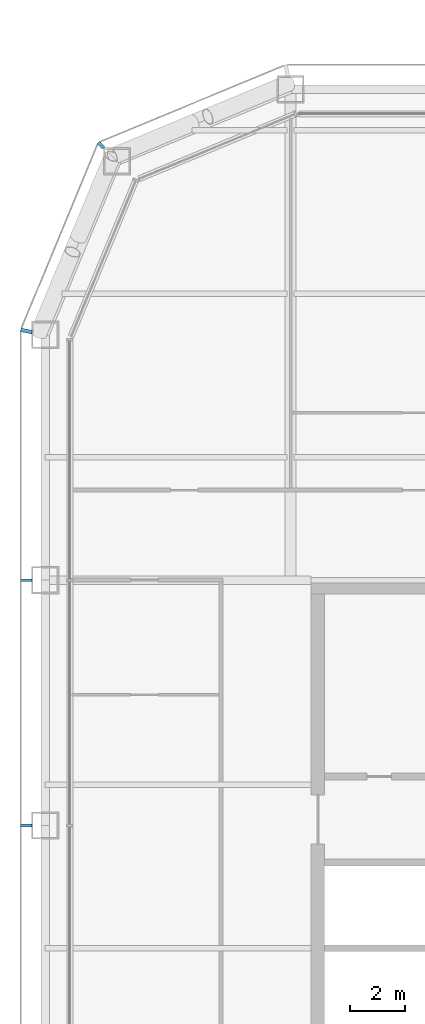
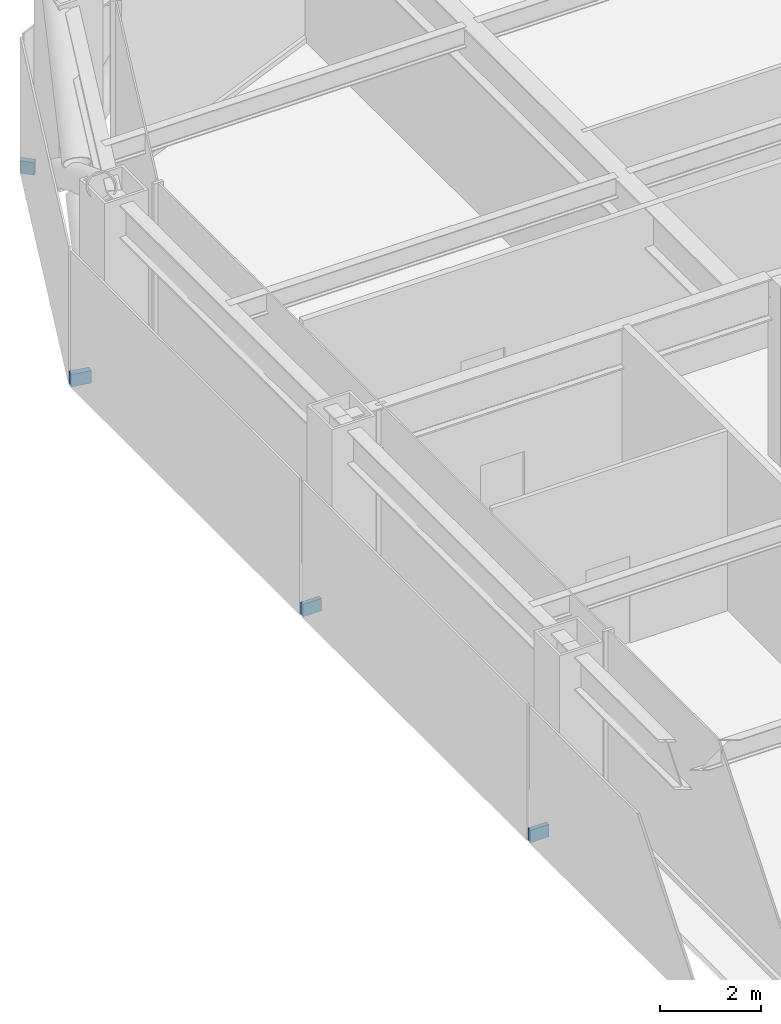
# One storey, part 19 of 30: 4 discrete accessories.
"""IFC4 building model written with IfcOpenShell, lengths in metres."""

from ifc_helpers import new_model, si_unit, direction, frame, origin, origin_2d, place, context, subcontext, project, spatial, rectangle, extrude, material, type_object, element, save


model = new_model("IFC4")

# Units and contexts
model_context = context("Model", 3, precision=1e-05, world=origin(), true_north=direction((0.0, 1.0)))
body_context = subcontext(model_context, "Body", "Model", "MODEL_VIEW")
ifc_project = project(units=[si_unit("LENGTHUNIT", "METRE"), si_unit("AREAUNIT", "SQUARE_METRE"), si_unit("VOLUMEUNIT", "CUBIC_METRE"), si_unit("PLANEANGLEUNIT", "RADIAN"), si_unit("MASSUNIT", "GRAM", prefix="KILO")], contexts=[model_context])

# Site, building, storey
site_placement = place(None, origin())
site = spatial("IfcSite", under=ifc_project, at=site_placement, CompositionType="ELEMENT")
building_placement = place(site_placement, origin())
building = spatial("IfcBuilding", under=site, at=building_placement, Name="Siwar Civic Tower", CompositionType="ELEMENT")
storey_placement = place(building_placement, frame((0.0, 0.0, 80.699951171875)))
storey = spatial("IfcBuildingStorey", under=building, at=storey_placement, Name="L17", CompositionType="ELEMENT", Elevation=80.699951171875)

# Discrete accessories
ifc_material = material(Name="Stainless steel 316", Category="steel")
discrete_accessory_type = type_object("IfcDiscreteAccessoryType", Name="ENV-BRACKET", PredefinedType="BRACKET", material=ifc_material)
discrete_accessory_1_placement = place(storey_placement, frame((-29.451416015625, 29.451416015625, -0.14990234375), z_axis=(0.0, 0.0, 1.0), x_axis=(-0.707106781187, 0.707106781187, 0.0)))
element("IfcDiscreteAccessory", 1, at=discrete_accessory_1_placement, inside=storey, type_object=discrete_accessory_type, Name="Bracket outer skin joint V08", PredefinedType="BRACKET", context=body_context, shape_type="SweptSolid", body=[
    extrude(rectangle(XDim=0.287109375, YDim=0.12939453125, at=origin_2d()), origin(), (0.0, 0.0, 1.0), 0.300048828125),
])
discrete_accessory_2_placement = place(storey_placement, frame((-32.190185546875, 22.63720703125, -0.14990234375), z_axis=(0.0, 0.0, 1.0), x_axis=(-0.980785280403, 0.195090322016, 0.0)))
element("IfcDiscreteAccessory", 2, at=discrete_accessory_2_placement, inside=storey, type_object=discrete_accessory_type, Name="Bracket outer skin joint V09", PredefinedType="BRACKET", context=body_context, shape_type="SweptSolid", body=[
    extrude(rectangle(XDim=0.427734375, YDim=0.13720703125, at=origin_2d()), origin(), (0.0, 0.0, 1.0), 0.300048828125),
])
for number, where, z_axis, x_axis, name in (
    (3, (-32.18994140625, 13.5, -0.14990234375), (0.0, 0.0, 1.0), (-1.0, 0.0, 0.0), "Bracket outer skin joint W-01"),
    (4, (-32.18994140625, 4.5, -0.14990234375), (0.0, 0.0, 1.0), (-1.0, 0.0, 0.0), "Bracket outer skin joint W-02"),
):
    element("IfcDiscreteAccessory", number, at=place(storey_placement, frame(where, z_axis=z_axis, x_axis=x_axis)), inside=storey, type_object=discrete_accessory_type, Name=name, PredefinedType="BRACKET", context=body_context, shape_type="SweptSolid", body=[
        extrude(rectangle(XDim=0.419921875, YDim=0.10009765625, at=origin_2d()), origin(), (0.0, 0.0, 1.0), 0.300048828125),
    ])

save(model, "model.ifc")
